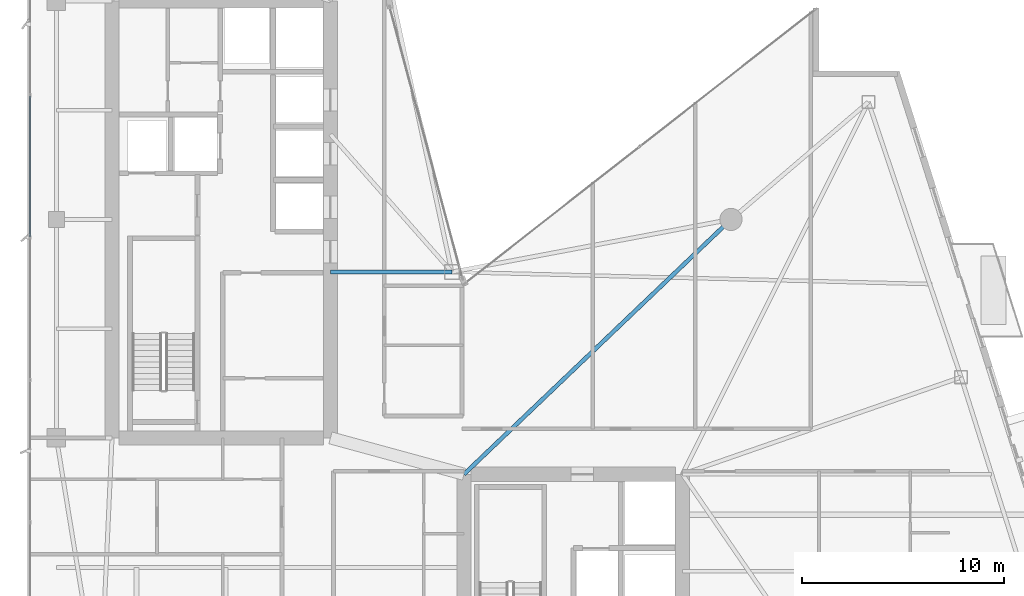
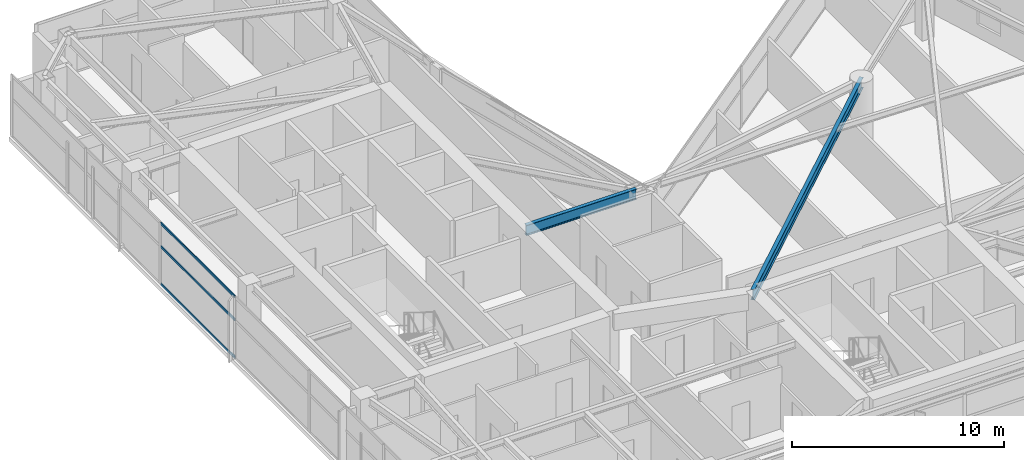
# One storey, part 9 of 29: 3 members, 2 beams, 1 element without a shape of its own.
"""IFC4 building model written with IfcOpenShell, lengths in metres."""

from ifc_helpers import new_model, si_unit, direction, frame, origin, origin_2d, place, context, subcontext, project, spatial, hollow_rectangle, i_section, extrude, material, layer, layer_set, material_profile, profile_set, type_object, element, aggregate, save


model = new_model("IFC4")

# Units and contexts
model_context = context("Model", 3, precision=1e-05, world=origin(), true_north=direction((0.0, 1.0)))
body_context = subcontext(model_context, "Body", "Model", "MODEL_VIEW")
ifc_project = project(units=[si_unit("LENGTHUNIT", "METRE"), si_unit("AREAUNIT", "SQUARE_METRE"), si_unit("VOLUMEUNIT", "CUBIC_METRE"), si_unit("PLANEANGLEUNIT", "RADIAN"), si_unit("MASSUNIT", "GRAM", prefix="KILO")], contexts=[model_context])

# Site, building, storey
site_placement = place(None, origin())
site = spatial("IfcSite", under=ifc_project, at=site_placement, CompositionType="ELEMENT")
building_placement = place(site_placement, origin())
building = spatial("IfcBuilding", under=site, at=building_placement, Name="Calvorn Quay Hotel", CompositionType="ELEMENT")
storey_placement = place(building_placement, frame((0.0, 0.0, 211.0)))
storey = spatial("IfcBuildingStorey", under=building, at=storey_placement, Name="L52", CompositionType="ELEMENT", Elevation=211.0)

# Beams
ifc_material_1 = material(Name="Steel Q355B", Category="steel")
ifc_material_profile_1 = material_profile(ifc_material_1, i_section(OverallWidth=0.199951171875, OverallDepth=0.60009765625, WebThickness=0.010986328125, FlangeThickness=0.01708984375, FilletRadius=0.01806640625, at=origin_2d()), Name="HN600x200x11x17")
ifc_profile_set_1 = profile_set([ifc_material_profile_1], Name="Steel Q355B")
beam_type = type_object("IfcBeamType", Name="BM-GIRD-TYP", PredefinedType="BEAM", material=ifc_profile_set_1)
beam_1_placement = place(storey_placement, frame((21.0, 25.0, 3.239990234375), z_axis=(-1.0, 0.0, 0.0), x_axis=(0.0, -1.0, 0.0)))
element("IfcBeam", 1, at=beam_1_placement, inside=storey, type_object=beam_type, Name="Beam BG-L52-W7", PredefinedType="BEAM", context=body_context, shape_type="SweptSolid", body=[
    extrude(i_section(OverallWidth=0.199951171875, OverallDepth=0.60009765625, WebThickness=0.010986328125, FlangeThickness=0.01708984375, FilletRadius=0.01806640625, at=origin_2d()), origin(), (0.0, 0.0, 1.0), 6.0),
])
beam_2_placement = place(storey_placement, frame((21.60009765625, 15.0, 3.239990234375), z_axis=(0.723351595578, 0.690479883252, 0.0), x_axis=(-0.690479883252, 0.723351595578, 0.0)))
element("IfcBeam", 2, at=beam_2_placement, inside=storey, type_object=beam_type, Name="Beam BG-L52-E4", PredefinedType="BEAM", context=body_context, shape_type="SweptSolid", body=[
    extrude(i_section(OverallWidth=0.199951171875, OverallDepth=0.60009765625, WebThickness=0.010986328125, FlangeThickness=0.01708984375, FilletRadius=0.01806640625, at=origin_2d()), origin(), (0.0, 0.0, 1.0), 18.248291015625),
])

# Curtain wall, members
ifc_material_2 = material(Name="Champagne Bronze Anodised Aluminium and Low-E Glass", Category="aluminium")
ifc_layer = layer(ifc_material_2, 0.219970703125)
ifc_layer_set = layer_set([ifc_layer], Name="CW-SYS-Z3")
curtain_wall_type = type_object("IfcCurtainWallType", Name="CW-SYS-Z3", PredefinedType="NOTDEFINED", material=ifc_layer_set)
curtain_wall_placement = place(storey_placement, origin())
curtain_wall = element("IfcCurtainWall", 3, at=curtain_wall_placement, inside=storey, type_object=curtain_wall_type, Name="Tower West Curtain Wall (L52)", PredefinedType="NOTDEFINED")
ifc_material_3 = material(Name="Champagne Bronze Anodised Aluminium 6063-T6", Category="aluminium")
ifc_material_profile_2 = material_profile(ifc_material_3, hollow_rectangle(XDim=0.05810546875, YDim=0.139892578125, WallThickness=0.003173828125, at=origin_2d()), Name="ALU-T140x58x3.2")
ifc_profile_set_2 = profile_set([ifc_material_profile_2], Name="Champagne Bronze Anodised Aluminium 6063-T6")
member_type = type_object("IfcMemberType", Name="CW-SYS-Z3-TRN", PredefinedType="USERDEFINED", material=ifc_profile_set_2)
member_1_placement = place(storey_placement, frame((0.14990234375, 26.72998046875, 0.030029296875), z_axis=(0.0, 1.0, 0.0), x_axis=(-1.0, 0.0, 0.0)))
member_1 = element("IfcMember", 4, at=member_1_placement, type_object=member_type, Name="CW-L52-W transom 4.1", ObjectType="TRANSOM", PredefinedType="USERDEFINED", context=body_context, shape_type="SweptSolid", body=[
    extrude(hollow_rectangle(XDim=0.05810546875, YDim=0.139892578125, WallThickness=0.003173828125, at=origin_2d()), origin(), (0.0, 0.0, 1.0), 6.973388671875),
])
member_2_placement = place(storey_placement, frame((0.14990234375, 26.72998046875, 2.199951171875), z_axis=(0.0, 1.0, 0.0), x_axis=(-1.0, 0.0, 0.0)))
member_2 = element("IfcMember", 5, at=member_2_placement, type_object=member_type, Name="CW-L52-W transom 4.2", ObjectType="TRANSOM", PredefinedType="USERDEFINED", context=body_context, shape_type="SweptSolid", body=[
    extrude(hollow_rectangle(XDim=0.05810546875, YDim=0.139892578125, WallThickness=0.003173828125, at=origin_2d()), origin(), (0.0, 0.0, 1.0), 6.973388671875),
])
member_3_placement = place(storey_placement, frame((0.14990234375, 26.72998046875, 3.530029296875), z_axis=(0.0, 1.0, 0.0), x_axis=(-1.0, 0.0, 0.0)))
member_3 = element("IfcMember", 6, at=member_3_placement, type_object=member_type, Name="CW-L52-W transom 4.3", ObjectType="TRANSOM", PredefinedType="USERDEFINED", context=body_context, shape_type="SweptSolid", body=[
    extrude(hollow_rectangle(XDim=0.05810546875, YDim=0.139892578125, WallThickness=0.003173828125, at=origin_2d()), origin(), (0.0, 0.0, 1.0), 6.973388671875),
])
aggregate(curtain_wall, [member_1, member_2, member_3])

save(model, "model.ifc")
